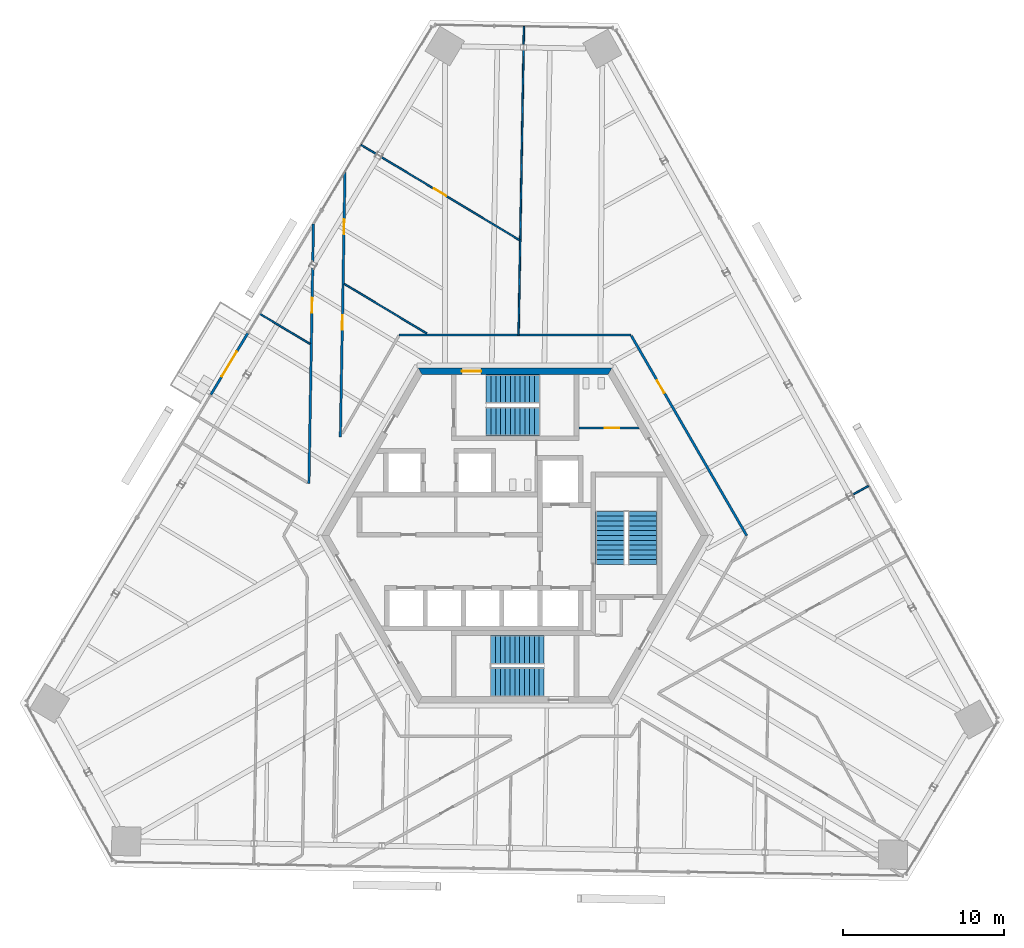
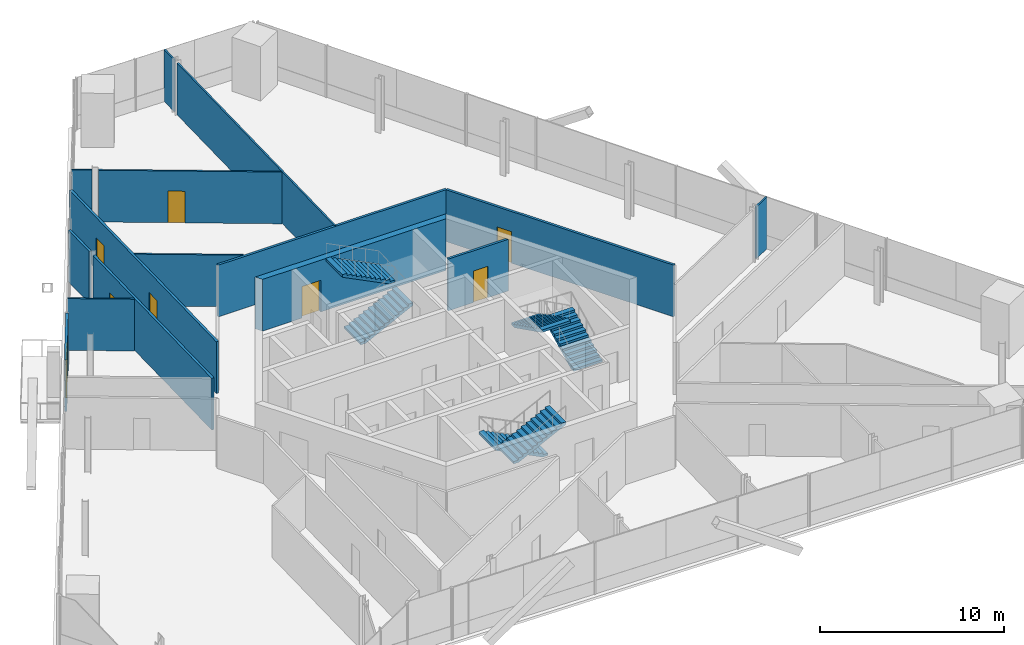
# One storey, part 14 of 18: 15 walls, 8 doors, 6 stair flights, 8 openings, 3 elements without a shape of their own.
"""IFC4 building model written with IfcOpenShell, lengths in metres."""

from ifc_helpers import new_model, si_unit, direction, frame, frame_2d, origin, place, context, subcontext, project, spatial, polyline, rectangle, outline, extrude, source, transform, mapped, material, layer, layer_set, type_object, element, fill, aggregate, save


model = new_model("IFC4")

# Units and contexts
model_context = context("Model", 3, precision=1e-05, world=origin(), true_north=direction((0.0, 1.0)))
body_context = subcontext(model_context, "Body", "Model", "MODEL_VIEW")
ifc_project = project(units=[si_unit("LENGTHUNIT", "METRE"), si_unit("AREAUNIT", "SQUARE_METRE"), si_unit("VOLUMEUNIT", "CUBIC_METRE"), si_unit("PLANEANGLEUNIT", "RADIAN"), si_unit("MASSUNIT", "GRAM", prefix="KILO")], contexts=[model_context])

# Site, building, storey
site_placement = place(None, origin())
site = spatial("IfcSite", under=ifc_project, at=site_placement, CompositionType="ELEMENT")
building_placement = place(site_placement, origin())
building = spatial("IfcBuilding", under=site, at=building_placement, Name="Triune Harvest Tower", CompositionType="ELEMENT")
storey_placement = place(building_placement, frame((0.0, 0.0, 190.699951171875)))
storey = spatial("IfcBuildingStorey", under=building, at=storey_placement, Name="L49", CompositionType="ELEMENT", Elevation=190.699951171875)

# Wall, openings, doors
ifc_material_1 = material(Name="Gypsum board on steel studs", Category="steel")
ifc_layer_1 = layer(ifc_material_1, 0.14990234375)
ifc_layer_set_1 = layer_set([ifc_layer_1], Name="Gypsum board on steel studs")
wall_type_1 = type_object("IfcWallType", Name="Fire Partition 150 mm", PredefinedType="PARTITIONING", material=ifc_layer_set_1)
wall_1_placement = place(storey_placement, frame((-10.835693359375, 6.116455078125, 0.0), z_axis=(0.0, 0.0, 1.0), x_axis=(0.01743929412, 0.999847923947, 0.0)))
wall_1 = element("IfcWall", 1, at=wall_1_placement, inside=storey, type_object=wall_type_1, Name="Partition L49 043", PredefinedType="PARTITIONING", context=body_context, shape_type="SweptSolid", body=[
    extrude(rectangle(XDim=16.477294921875, YDim=0.14990234375, at=frame_2d((8.23876953125, 0.0))), origin(), (0.0, 0.0, 1.0), 3.43994140625),
])
opening_1_placement = place(wall_1_placement, frame((12.593994140625, 0.0, 0.0)))
opening_1 = element("IfcOpeningElement", 2, at=opening_1_placement, cuts=wall_1, Name="Opening L49-005", PredefinedType="OPENING", context=body_context, shape_type="SweptSolid", body=[
    extrude(rectangle(XDim=0.89990234375, YDim=2.10009765625, at=frame_2d((0.449951171875, 1.050048828125))), frame((0.0, 0.0849609375, 0.0), z_axis=(0.0, -1.0, 0.0), x_axis=(1.0, 0.0, 0.0)), (0.0, 0.0, 1.0), 0.169921875),
])
opening_2_placement = place(wall_1_placement, frame((6.643310546875, 0.0, 0.0)))
opening_2 = element("IfcOpeningElement", 3, at=opening_2_placement, cuts=wall_1, Name="Opening L49-008", PredefinedType="OPENING", context=body_context, shape_type="SweptSolid", body=[
    extrude(rectangle(XDim=0.89990234375, YDim=2.10009765625, at=frame_2d((0.449951171875, 1.050048828125))), frame((0.0, 0.0849609375, 0.0), z_axis=(0.0, -1.0, 0.0), x_axis=(1.0, 0.0, 0.0)), (0.0, 0.0, 1.0), 0.169921875),
])
ifc_material_2 = material(Name="Timber and steel door set", Category="steel")
door_type_1 = type_object("IfcDoorType", Name="Single leaf door FD30 left hand 900 x 2100", OperationType="SINGLE_SWING_LEFT", PredefinedType="DOOR", material=ifc_material_2)
door_1_placement = place(opening_1_placement, origin())
door_1 = element("IfcDoor", 4, at=door_1_placement, inside=storey, type_object=door_type_1, Name="Door L49-005 Project Room 49.05", OperationType="SINGLE_SWING_LEFT", OverallHeight=2.10009765625, OverallWidth=0.89990234375, PredefinedType="DOOR", context=body_context, shape_type="SweptSolid", body=[
    extrude(rectangle(XDim=0.89990234375, YDim=2.10009765625, at=frame_2d((0.449951171875, 1.050048828125))), frame((0.0, 0.02490234375, 0.0), z_axis=(0.0, -1.0, 0.0), x_axis=(1.0, 0.0, 0.0)), (0.0, 0.0, 1.0), 0.050048828125),
])
fill(opening_1, door_1)
ifc_material_3 = material(Name="Timber and steel door set", Category="steel")
door_type_2 = type_object("IfcDoorType", Name="Single leaf door FD30 right hand 900 x 2100", OperationType="SINGLE_SWING_RIGHT", PredefinedType="DOOR", material=ifc_material_3)
door_2_placement = place(opening_2_placement, origin())
door_2 = element("IfcDoor", 5, at=door_2_placement, inside=storey, type_object=door_type_2, Name="Door L49-008 Pantry 49.08", OperationType="SINGLE_SWING_RIGHT", OverallHeight=2.10009765625, OverallWidth=0.89990234375, PredefinedType="DOOR", context=body_context, shape_type="SweptSolid", body=[
    extrude(rectangle(XDim=0.89990234375, YDim=2.10009765625, at=frame_2d((0.449951171875, 1.050048828125))), frame((0.0, 0.02490234375, 0.0), z_axis=(0.0, -1.0, 0.0), x_axis=(1.0, 0.0, 0.0)), (0.0, 0.0, 1.0), 0.050048828125),
])
fill(opening_2, door_2)

# Wall, opening, door
wall_2_placement = place(storey_placement, frame((-12.786376953125, 3.233642578125, 0.0), z_axis=(0.0, 0.0, 1.0), x_axis=(0.017458439806, 0.999847589825, 0.0)))
wall_2 = element("IfcWall", 6, at=wall_2_placement, inside=storey, type_object=wall_type_1, Name="Partition L49 045", PredefinedType="PARTITIONING", context=body_context, shape_type="SweptSolid", body=[
    extrude(rectangle(XDim=13.354736328125, YDim=0.14990234375, at=frame_2d((6.67724609375, 0.0))), origin(), (0.0, 0.0, 1.0), 3.43994140625),
])
opening_3_placement = place(wall_2_placement, frame((10.607421875, 0.0, 0.0)))
opening_3 = element("IfcOpeningElement", 7, at=opening_3_placement, cuts=wall_2, Name="Opening L49-007", PredefinedType="OPENING", context=body_context, shape_type="SweptSolid", body=[
    extrude(rectangle(XDim=0.89990234375, YDim=2.10009765625, at=frame_2d((0.449951171875, 1.050048828125))), frame((0.0, 0.0849609375, 0.0), z_axis=(0.0, -1.0, 0.0), x_axis=(1.0, 0.0, 0.0)), (0.0, 0.0, 1.0), 0.169921875),
])
door_3_placement = place(opening_3_placement, origin())
door_3 = element("IfcDoor", 8, at=door_3_placement, inside=storey, type_object=door_type_2, Name="Door L49-007 Pantry 49.07", OperationType="SINGLE_SWING_RIGHT", OverallHeight=2.10009765625, OverallWidth=0.89990234375, PredefinedType="DOOR", context=body_context, shape_type="SweptSolid", body=[
    extrude(rectangle(XDim=0.89990234375, YDim=2.10009765625, at=frame_2d((0.449951171875, 1.050048828125))), frame((0.0, 0.02490234375, 0.0), z_axis=(0.0, -1.0, 0.0), x_axis=(1.0, 0.0, 0.0)), (0.0, 0.0, 1.0), 0.050048828125),
])
fill(opening_3, door_3)

# Wall
ifc_material_4 = material(Name="Gypsum board on steel studs", Category="steel")
ifc_layer_2 = layer(ifc_material_4, 0.10009765625)
ifc_layer_set_2 = layer_set([ifc_layer_2], Name="Gypsum board on steel studs")
wall_type_2 = type_object("IfcWallType", Name="Partition 100 mm", PredefinedType="PARTITIONING", material=ifc_layer_set_2)
wall_3_placement = place(storey_placement, frame((-15.84912109375, 13.76953125, 0.0), z_axis=(0.0, 0.0, 1.0), x_axis=(0.857180670453, -0.515015823255, 0.0)))
element("IfcWall", 9, at=wall_3_placement, inside=storey, type_object=wall_type_2, Name="Partition L49 012", PredefinedType="PARTITIONING", context=body_context, shape_type="SweptSolid", body=[
    extrude(rectangle(XDim=3.658203125, YDim=0.10009765625, at=frame_2d((1.8291015625, 0.0))), origin(), (0.0, 0.0, 1.0), 3.43994140625),
])

# Wall, opening, door
ifc_material_5 = material(Name="Concrete 70 MPa", Category="concrete")
ifc_layer_3 = layer(ifc_material_5, 0.39990234375)
ifc_layer_set_3 = layer_set([ifc_layer_3], Name="Concrete 70 MPa")
wall_type_3 = type_object("IfcWallType", Name="Core wall 400", PredefinedType="SHEAR", material=ifc_layer_set_3)
shared_shape_1 = source(origin(), body_context, "Body", "SweptSolid", [
    extrude(outline(polyline([(-0.115478515625, -0.199951171875), (11.884521484375, -0.199951171875), (11.653564453125, 0.199951171875), (0.115478515625, 0.199951171875), (-0.115478515625, -0.199951171875)])), origin(), (0.0, 0.0, 1.0), 3.43994140625),
])
wall_4_placement = place(storey_placement, frame((5.884521484375, 10.1923828125, 0.0), z_axis=(0.0, 0.0, 1.0), x_axis=(-1.0, 0.0, 0.0)))
wall_4 = element("IfcWall", 10, at=wall_4_placement, inside=storey, type_object=wall_type_3, Name="Hexagon 1 wall", PredefinedType="SHEAR", context=body_context, shape_type="MappedRepresentation", body=[
    mapped(shared_shape_1, transform((0.0, 0.0, 0.0), scale=1.0)),
])
opening_4_placement = place(wall_4_placement, frame((7.984619140625, 0.0, 0.0)))
opening_4 = element("IfcOpeningElement", 11, at=opening_4_placement, cuts=wall_4, Name="Opening CD-S1P", PredefinedType="OPENING", context=body_context, shape_type="SweptSolid", body=[
    extrude(rectangle(XDim=1.199951171875, YDim=2.10009765625, at=frame_2d((0.60009765625, 1.050048828125))), frame((0.0, 0.2099609375, 0.0), z_axis=(0.0, -1.0, 0.0), x_axis=(1.0, 0.0, 0.0)), (0.0, 0.0, 1.0), 0.419921875),
])
ifc_material_6 = material(Name="Steel S235", Category="steel")
door_type_3 = type_object("IfcDoorType", Name="Stair door 1200 FD120", OperationType="SINGLE_SWING_LEFT", PredefinedType="DOOR", material=ifc_material_6)
door_4_placement = place(opening_4_placement, frame((1.199951171875, 0.0, 0.0), z_axis=(0.0, 0.0, 1.0), x_axis=(-1.0, 0.0, 0.0)))
door_4 = element("IfcDoor", 12, at=door_4_placement, inside=storey, type_object=door_type_3, Name="Door CD-S1P", OperationType="SINGLE_SWING_RIGHT", OverallHeight=2.10009765625, OverallWidth=1.199951171875, PredefinedType="DOOR", context=body_context, shape_type="SweptSolid", body=[
    extrude(rectangle(XDim=1.199951171875, YDim=2.10009765625, at=frame_2d((0.60009765625, 1.050048828125))), frame((0.0, 0.02490234375, 0.0), z_axis=(0.0, -1.0, 0.0), x_axis=(1.0, 0.0, 0.0)), (0.0, 0.0, 1.0), 0.050048828125),
])
fill(opening_4, door_4)

ifc_material_7 = material(Name="Concrete masonry unit", Category="masonry")
ifc_layer_4 = layer(ifc_material_7, 0.14990234375)
ifc_layer_set_4 = layer_set([ifc_layer_4], Name="Concrete masonry unit")
wall_type_4 = type_object("IfcWallType", Name="Block partition 150 unrated", PredefinedType="PARTITIONING", material=ifc_layer_set_4)
shared_shape_2 = source(origin(), body_context, "Body", "SweptSolid", [
    extrude(outline(polyline([(0.0, -0.074951171875), (0.0, 0.074951171875), (3.693359375, 0.074951171875), (3.77978515625, -0.074951171875), (0.0, -0.074951171875)])), origin(), (0.0, 0.0, 1.0), 3.43994140625),
])
wall_5_placement = place(storey_placement, frame((3.949951171875, 6.675048828125, 0.0), z_axis=(0.0, 0.0, 1.0), x_axis=(1.0, 0.0, 0.0)))
wall_5 = element("IfcWall", 13, at=wall_5_placement, inside=storey, type_object=wall_type_4, Name="Wc women south wall", PredefinedType="PARTITIONING", context=body_context, shape_type="MappedRepresentation", body=[
    mapped(shared_shape_2, transform((0.0, 0.0, 0.0), scale=1.0)),
])
opening_5_placement = place(wall_5_placement, frame((1.60009765625, 0.0, 0.0)))
opening_5 = element("IfcOpeningElement", 14, at=opening_5_placement, cuts=wall_5, Name="Opening CD-WW", PredefinedType="OPENING", context=body_context, shape_type="SweptSolid", body=[
    extrude(rectangle(XDim=0.89990234375, YDim=2.10009765625, at=frame_2d((0.449951171875, 1.050048828125))), frame((0.0, 0.0849609375, 0.0), z_axis=(0.0, -1.0, 0.0), x_axis=(1.0, 0.0, 0.0)), (0.0, 0.0, 1.0), 0.169921875),
])
ifc_material_8 = material(Name="Timber C24", Category="wood")
door_type_4 = type_object("IfcDoorType", Name="WC door 900", OperationType="SINGLE_SWING_LEFT", PredefinedType="DOOR", material=ifc_material_8)
door_5_placement = place(opening_5_placement, origin())
door_5 = element("IfcDoor", 15, at=door_5_placement, inside=storey, type_object=door_type_4, Name="Door CD-WW", OperationType="SINGLE_SWING_LEFT", OverallHeight=2.10009765625, OverallWidth=0.89990234375, PredefinedType="DOOR", context=body_context, shape_type="SweptSolid", body=[
    extrude(rectangle(XDim=0.89990234375, YDim=2.10009765625, at=frame_2d((0.449951171875, 1.050048828125))), frame((0.0, 0.02490234375, 0.0), z_axis=(0.0, -1.0, 0.0), x_axis=(1.0, 0.0, 0.0)), (0.0, 0.0, 1.0), 0.050048828125),
])
fill(opening_5, door_5)

ifc_material_9 = material(Name="Aluminium bronze anodised", Category="aluminium")
ifc_layer_5 = layer(ifc_material_9, 0.14990234375)
ifc_layer_set_5 = layer_set([ifc_layer_5], Name="Aluminium bronze anodised")
wall_type_5 = type_object("IfcWallType", Name="WW-2 balcony window wall", PredefinedType="ELEMENTEDWALL", material=ifc_layer_set_5)
shared_shape_3 = source(origin(), body_context, "Body", "SweptSolid", [
    extrude(rectangle(XDim=4.460693359375, YDim=0.14990234375, at=frame_2d((2.23046875, 0.0))), origin(), (0.0, 0.0, 1.0), 3.43994140625),
])
wall_6_placement = place(storey_placement, frame((-18.872314453125, 8.73779296875, 0.0), z_axis=(0.0, 0.0, 1.0), x_axis=(0.515034931991, 0.857169189151, 0.0)))
wall_6 = element("IfcWall", 16, at=wall_6_placement, inside=storey, type_object=wall_type_5, Name="WW-2 B5-F3 L49.6", PredefinedType="ELEMENTEDWALL", context=body_context, shape_type="MappedRepresentation", body=[
    mapped(shared_shape_3, transform((0.0, 0.0, 0.0), scale=1.0)),
])
opening_6_placement = place(wall_6_placement, frame((1.330322265625, 0.0, 0.0)))
opening_6 = element("IfcOpeningElement", 17, at=opening_6_placement, cuts=wall_6, Name="Opening L49-E01", PredefinedType="OPENING", context=body_context, shape_type="SweptSolid", body=[
    extrude(rectangle(XDim=1.800048828125, YDim=2.39990234375, at=frame_2d((0.89990234375, 1.199951171875))), frame((0.0, 0.0849609375, 0.0), z_axis=(0.0, -1.0, 0.0), x_axis=(1.0, 0.0, 0.0)), (0.0, 0.0, 1.0), 0.169921875),
])
ifc_material_10 = material(Name="Glass", Category="glass")
door_type_5 = type_object("IfcDoorType", Name="DB-1 balcony door 1800 x 2400", OperationType="DOUBLE_DOOR_SINGLE_SWING", PredefinedType="DOOR", material=ifc_material_10)
door_6_placement = place(opening_6_placement, origin())
door_6 = element("IfcDoor", 18, at=door_6_placement, inside=storey, type_object=door_type_5, Name="Door L49-E01", OperationType="DOUBLE_DOOR_SINGLE_SWING", OverallHeight=2.39990234375, OverallWidth=1.800048828125, PredefinedType="DOOR", context=body_context, shape_type="SweptSolid", body=[
    extrude(rectangle(XDim=1.800048828125, YDim=2.39990234375, at=frame_2d((0.89990234375, 1.199951171875))), frame((0.0, 0.02490234375, 0.0), z_axis=(0.0, -1.0, 0.0), x_axis=(1.0, 0.0, 0.0)), (0.0, 0.0, 1.0), 0.050048828125),
])
fill(opening_6, door_6)

# Walls
shared_shape_4 = source(origin(), body_context, "Body", "SweptSolid", [
    extrude(rectangle(XDim=14.3671875, YDim=0.14990234375, at=frame_2d((7.18359375, 0.0))), origin(), (0.0, 0.0, 1.0), 3.43994140625),
])
wall_7_placement = place(storey_placement, frame((-7.18359375, 12.4423828125, 0.0), z_axis=(0.0, 0.0, 1.0), x_axis=(1.0, 0.0, 0.0)))
element("IfcWall", 19, at=wall_7_placement, inside=storey, type_object=wall_type_1, Name="Partition L49 018", PredefinedType="PARTITIONING", context=body_context, shape_type="MappedRepresentation", body=[
    mapped(shared_shape_4, transform((0.0, 0.0, 0.0), scale=1.0)),
])
shared_shape_5 = source(origin(), body_context, "Body", "SweptSolid", [
    extrude(rectangle(XDim=1.130615234375, YDim=0.10009765625, at=frame_2d((0.5654296875, 0.0))), origin(), (0.0, 0.0, 1.0), 3.43994140625),
])
for number, where, z_axis, x_axis, name in (
    (20, (-9.55810546875, 24.239501953125, 0.0), (0.0, 0.0, 1.0), (0.85705438935, -0.515225944316, 0.0), "Partition L49 014"),
    (21, (20.93896484375, 2.54296875, 0.0), (0.0, 0.0, 1.0), (0.874615280468, 0.484817606087, 0.0), "Partition L49 026"),
    (22, (0.531494140625, 30.449951171875, 0.0), (0.0, 0.0, 1.0), (0.017491923839, 0.999847004596, 0.0), "Partition L49 040"),
):
    element("IfcWall", number, at=place(storey_placement, frame(where, z_axis=z_axis, x_axis=x_axis)), inside=storey, type_object=wall_type_2, Name=name, PredefinedType="PARTITIONING", context=body_context, shape_type="MappedRepresentation", body=[
        mapped(shared_shape_5, transform((0.0, 0.0, 0.0), scale=1.0)),
    ])

# Wall, opening, door
shared_shape_6 = source(origin(), body_context, "Body", "SweptSolid", [
    extrude(rectangle(XDim=14.317138671875, YDim=0.14990234375, at=frame_2d((7.15869140625, 0.0))), origin(), (0.0, 0.0, 1.0), 3.43994140625),
])
wall_8_placement = place(storey_placement, frame((7.20849609375, 12.39892578125, 0.0), z_axis=(0.0, 0.0, 1.0), x_axis=(0.5000088147, -0.866020314555, 0.0)))
wall_8 = element("IfcWall", 23, at=wall_8_placement, inside=storey, type_object=wall_type_1, Name="Partition L49 004", PredefinedType="PARTITIONING", context=body_context, shape_type="MappedRepresentation", body=[
    mapped(shared_shape_6, transform((0.0, 0.0, 0.0), scale=1.0)),
])
opening_7_placement = place(wall_8_placement, frame((3.20068359375, 0.0, 0.0)))
opening_7 = element("IfcOpeningElement", 24, at=opening_7_placement, cuts=wall_8, Name="Opening L49-003", PredefinedType="OPENING", context=body_context, shape_type="SweptSolid", body=[
    extrude(rectangle(XDim=0.89990234375, YDim=2.10009765625, at=frame_2d((0.449951171875, 1.050048828125))), frame((0.0, 0.0849609375, 0.0), z_axis=(0.0, -1.0, 0.0), x_axis=(1.0, 0.0, 0.0)), (0.0, 0.0, 1.0), 0.169921875),
])
door_7_placement = place(opening_7_placement, origin())
door_7 = element("IfcDoor", 25, at=door_7_placement, inside=storey, type_object=door_type_1, Name="Door L49-003 Open Office 49.03", OperationType="SINGLE_SWING_LEFT", OverallHeight=2.10009765625, OverallWidth=0.89990234375, PredefinedType="DOOR", context=body_context, shape_type="SweptSolid", body=[
    extrude(rectangle(XDim=0.89990234375, YDim=2.10009765625, at=frame_2d((0.449951171875, 1.050048828125))), frame((0.0, 0.02490234375, 0.0), z_axis=(0.0, -1.0, 0.0), x_axis=(1.0, 0.0, 0.0)), (0.0, 0.0, 1.0), 0.050048828125),
])
fill(opening_7, door_7)

# Wall
shared_shape_7 = source(origin(), body_context, "Body", "SweptSolid", [
    extrude(rectangle(XDim=5.96533203125, YDim=0.10009765625, at=frame_2d((2.982666015625, 0.0))), origin(), (0.0, 0.0, 1.0), 3.43994140625),
])
wall_9_placement = place(storey_placement, frame((-10.592041015625, 15.612548828125, 0.0), z_axis=(0.0, 0.0, 1.0), x_axis=(0.857174976065, -0.515025300745, 0.0)))
element("IfcWall", 26, at=wall_9_placement, inside=storey, type_object=wall_type_2, Name="Partition L49 013", PredefinedType="PARTITIONING", context=body_context, shape_type="MappedRepresentation", body=[
    mapped(shared_shape_7, transform((0.0, 0.0, 0.0), scale=1.0)),
])

# Wall, opening, door
shared_shape_8 = source(origin(), body_context, "Body", "SweptSolid", [
    extrude(rectangle(XDim=9.98974609375, YDim=0.10009765625, at=frame_2d((4.994873046875, 0.0))), origin(), (0.0, 0.0, 1.0), 3.43994140625),
])
wall_10_placement = place(storey_placement, frame((-8.294921875, 23.480224609375, 0.0), z_axis=(0.0, 0.0, 1.0), x_axis=(0.857173616103, -0.515027564172, 0.0)))
wall_10 = element("IfcWall", 27, at=wall_10_placement, inside=storey, type_object=wall_type_2, Name="Partition L49 015", PredefinedType="PARTITIONING", context=body_context, shape_type="MappedRepresentation", body=[
    mapped(shared_shape_8, transform((0.0, 0.0, 0.0), scale=1.0)),
])
opening_8_placement = place(wall_10_placement, frame((3.7998046875, 0.0, 0.0)))
opening_8 = element("IfcOpeningElement", 28, at=opening_8_placement, cuts=wall_10, Name="Opening L49-004", PredefinedType="OPENING", context=body_context, shape_type="SweptSolid", body=[
    extrude(rectangle(XDim=0.89990234375, YDim=2.10009765625, at=frame_2d((0.449951171875, 1.050048828125))), frame((0.0, 0.06005859375, 0.0), z_axis=(0.0, -1.0, 0.0), x_axis=(1.0, 0.0, 0.0)), (0.0, 0.0, 1.0), 0.1201171875),
])
ifc_material_11 = material(Name="Timber and steel door set", Category="steel")
door_type_6 = type_object("IfcDoorType", Name="Single leaf door left hand 900 x 2100", OperationType="SINGLE_SWING_LEFT", PredefinedType="DOOR", material=ifc_material_11)
door_8_placement = place(opening_8_placement, origin())
door_8 = element("IfcDoor", 29, at=door_8_placement, inside=storey, type_object=door_type_6, Name="Door L49-004 Reception 49.04", OperationType="SINGLE_SWING_LEFT", OverallHeight=2.10009765625, OverallWidth=0.89990234375, PredefinedType="DOOR", context=body_context, shape_type="SweptSolid", body=[
    extrude(rectangle(XDim=0.89990234375, YDim=2.10009765625, at=frame_2d((0.449951171875, 1.050048828125))), frame((0.0, 0.02490234375, 0.0), z_axis=(0.0, -1.0, 0.0), x_axis=(1.0, 0.0, 0.0)), (0.0, 0.0, 1.0), 0.050048828125),
])
fill(opening_8, door_8)

# Walls
shared_shape_9 = source(origin(), body_context, "Body", "SweptSolid", [
    extrude(rectangle(XDim=17.6669921875, YDim=0.10009765625, at=frame_2d((8.83349609375, 0.0))), origin(), (0.0, 0.0, 1.0), 3.43994140625),
])
wall_11_placement = place(storey_placement, frame((0.21728515625, 12.4423828125, 0.0), z_axis=(0.0, 0.0, 1.0), x_axis=(0.017439609596, 0.999847918444, 0.0)))
element("IfcWall", 30, at=wall_11_placement, inside=storey, type_object=wall_type_2, Name="Partition L49 039", PredefinedType="PARTITIONING", context=body_context, shape_type="MappedRepresentation", body=[
    mapped(shared_shape_9, transform((0.0, 0.0, 0.0), scale=1.0)),
])
shared_shape_10 = source(origin(), body_context, "Body", "SweptSolid", [
    extrude(rectangle(XDim=2.343017578125, YDim=0.14990234375, at=frame_2d((1.17138671875, 0.0))), origin(), (0.0, 0.0, 1.0), 3.43994140625),
])
wall_12_placement = place(storey_placement, frame((-12.54638671875, 16.991455078125, 0.0), z_axis=(0.0, 0.0, 1.0), x_axis=(0.017504612283, 0.999846782537, 0.0)))
element("IfcWall", 31, at=wall_12_placement, inside=storey, type_object=wall_type_1, Name="Partition L49 046", PredefinedType="PARTITIONING", context=body_context, shape_type="MappedRepresentation", body=[
    mapped(shared_shape_10, transform((0.0, 0.0, 0.0), scale=1.0)),
])

# Stair, stair flights
ifc_material_12 = material(Name="Concrete 40 MPa", Category="concrete")
stair_type = type_object("IfcStairType", Name="Exit stair 1800 half turn", PredefinedType="HALF_TURN_STAIR", material=ifc_material_12)
stair_1_placement = place(storey_placement, origin())
stair_1 = element("IfcStair", 32, at=stair_1_placement, inside=storey, type_object=stair_type, Name="Exit stair north", PredefinedType="HALF_TURN_STAIR")
ifc_material_13 = material(Name="Concrete 40 MPa", Category="concrete")
stair_flight_type = type_object("IfcStairFlightType", Name="Stair flight 1800", PredefinedType="STRAIGHT", material=ifc_material_13)
shared_shape_11 = source(origin(), body_context, "Body", "SweptSolid", [
    extrude(outline(polyline([(0.0, 0.0), (0.0, 0.14990234375), (0.300048828125, 0.14990234375), (0.300048828125, 0.300048828125), (0.60009765625, 0.300048828125), (0.60009765625, 0.449951171875), (0.89990234375, 0.449951171875), (0.89990234375, 0.60009765625), (1.199951171875, 0.60009765625), (1.199951171875, 0.75), (1.5, 0.75), (1.5, 0.89990234375), (1.800048828125, 0.89990234375), (1.800048828125, 1.050048828125), (2.10009765625, 1.050048828125), (2.10009765625, 1.199951171875), (2.39990234375, 1.199951171875), (2.39990234375, 1.35009765625), (2.699951171875, 1.35009765625), (2.699951171875, 1.5), (3.0, 1.5), (3.0, 1.64990234375), (3.300048828125, 1.64990234375), (3.300048828125, 1.800048828125), (3.300048828125, 1.482421875), (0.335205078125, 0.0), (0.0, 0.0)])), frame((0.0, 0.89990234375, 0.0), z_axis=(0.0, -1.0, 0.0), x_axis=(1.0, 0.0, 0.0)), (0.0, 0.0, 1.0), 1.800048828125),
])
stair_flight_1_placement = place(storey_placement, frame((-1.7900390625, 7.090087890625, 0.0), z_axis=(0.0, 0.0, 1.0), x_axis=(1.0, 0.0, 0.0)))
stair_flight_1 = element("IfcStairFlight", 33, at=stair_flight_1_placement, type_object=stair_flight_type, Name="ST-1 flight 1", NumberOfRisers=12, NumberOfTreads=11, PredefinedType="STRAIGHT", RiserHeight=0.15, TreadLength=0.3, context=body_context, shape_type="MappedRepresentation", body=[
    mapped(shared_shape_11, transform((0.0, 0.0, 0.0), scale=1.0)),
])
stair_flight_2_placement = place(storey_placement, frame((1.510009765625, 9.090087890625, 1.800048828125), z_axis=(0.0, 0.0, 1.0), x_axis=(-1.0, 0.0, 0.0)))
stair_flight_2 = element("IfcStairFlight", 34, at=stair_flight_2_placement, type_object=stair_flight_type, Name="ST-1 flight 2", NumberOfRisers=12, NumberOfTreads=11, PredefinedType="STRAIGHT", RiserHeight=0.15, TreadLength=0.3, context=body_context, shape_type="MappedRepresentation", body=[
    mapped(shared_shape_11, transform((0.0, 0.0, 0.0), scale=1.0)),
])
aggregate(stair_1, [stair_flight_1, stair_flight_2])

stair_2_placement = place(storey_placement, origin())
stair_2 = element("IfcStair", 35, at=stair_2_placement, inside=storey, type_object=stair_type, Name="Exit stair south", PredefinedType="HALF_TURN_STAIR")
stair_flight_3_placement = place(storey_placement, frame((1.7900390625, -7.090087890625, 0.0), z_axis=(0.0, 0.0, 1.0), x_axis=(-1.0, 0.0, 0.0)))
stair_flight_3 = element("IfcStairFlight", 36, at=stair_flight_3_placement, type_object=stair_flight_type, Name="ST-2 flight 1", NumberOfRisers=12, NumberOfTreads=11, PredefinedType="STRAIGHT", RiserHeight=0.15, TreadLength=0.3, context=body_context, shape_type="MappedRepresentation", body=[
    mapped(shared_shape_11, transform((0.0, 0.0, 0.0), scale=1.0)),
])
stair_flight_4_placement = place(storey_placement, frame((-1.510009765625, -9.090087890625, 1.800048828125), z_axis=(0.0, 0.0, 1.0), x_axis=(1.0, 0.0, 0.0)))
stair_flight_4 = element("IfcStairFlight", 37, at=stair_flight_4_placement, type_object=stair_flight_type, Name="ST-2 flight 2", NumberOfRisers=12, NumberOfTreads=11, PredefinedType="STRAIGHT", RiserHeight=0.15, TreadLength=0.3, context=body_context, shape_type="MappedRepresentation", body=[
    mapped(shared_shape_11, transform((0.0, 0.0, 0.0), scale=1.0)),
])
aggregate(stair_2, [stair_flight_3, stair_flight_4])

stair_3_placement = place(storey_placement, origin())
stair_3 = element("IfcStair", 38, at=stair_3_placement, inside=storey, type_object=stair_type, Name="Exit stair east", PredefinedType="HALF_TURN_STAIR")
stair_flight_5_placement = place(storey_placement, frame((7.89990234375, -1.7900390625, 0.0), z_axis=(0.0, 0.0, 1.0), x_axis=(0.0, 1.0, 0.0)))
stair_flight_5 = element("IfcStairFlight", 39, at=stair_flight_5_placement, type_object=stair_flight_type, Name="ST-3 flight 1", NumberOfRisers=12, NumberOfTreads=11, PredefinedType="STRAIGHT", RiserHeight=0.15, TreadLength=0.3, context=body_context, shape_type="MappedRepresentation", body=[
    mapped(shared_shape_11, transform((0.0, 0.0, 0.0), scale=1.0)),
])
stair_flight_6_placement = place(storey_placement, frame((5.89990234375, 1.510009765625, 1.800048828125), z_axis=(0.0, 0.0, 1.0), x_axis=(0.0, -1.0, 0.0)))
stair_flight_6 = element("IfcStairFlight", 40, at=stair_flight_6_placement, type_object=stair_flight_type, Name="ST-3 flight 2", NumberOfRisers=12, NumberOfTreads=11, PredefinedType="STRAIGHT", RiserHeight=0.15, TreadLength=0.3, context=body_context, shape_type="MappedRepresentation", body=[
    mapped(shared_shape_11, transform((0.0, 0.0, 0.0), scale=1.0)),
])
aggregate(stair_3, [stair_flight_5, stair_flight_6])

save(model, "model.ifc")
